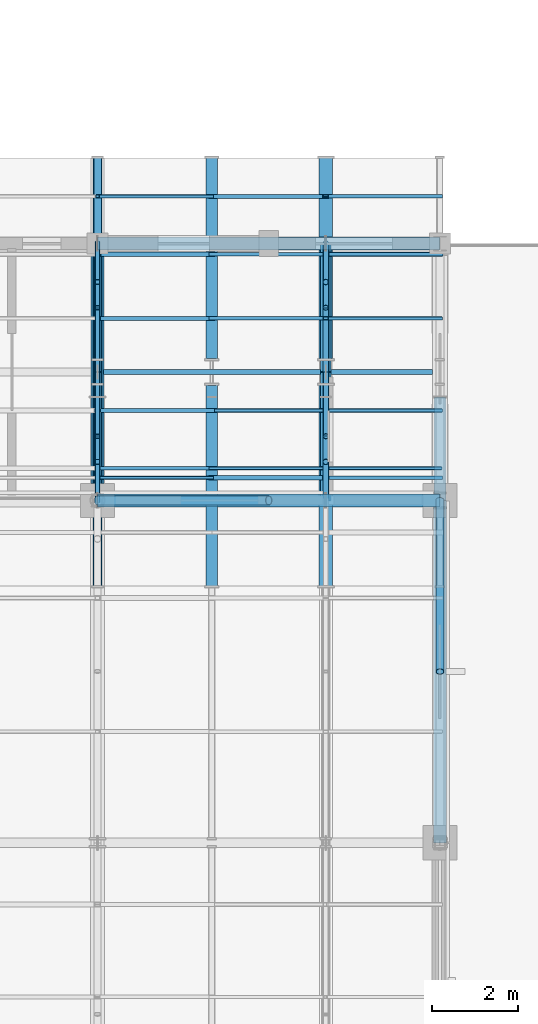
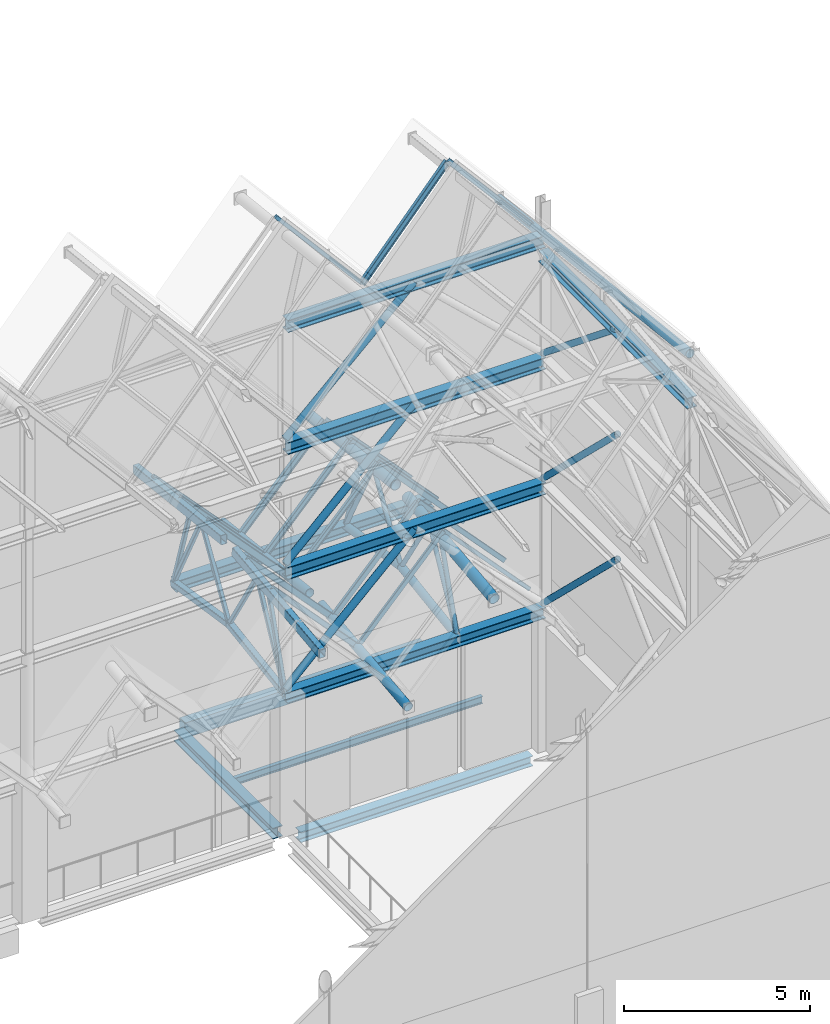
# One storey, part 16 of 48: 40 members, 17 beams.
"""IFC4 building model written with IfcOpenShell, lengths in metres."""

from ifc_helpers import new_model, si_unit, direction, frame, origin, origin_2d, place, context, subcontext, project, spatial, rectangle, hollow_rectangle, hollow_circle, i_section, extrude, material, material_profile, profile_set, type_object, element, save


model = new_model("IFC4")

# Units and contexts
model_context = context("Model", 3, precision=1e-05, world=origin(), true_north=direction((0.0, 1.0)))
body_context = subcontext(model_context, "Body", "Model", "MODEL_VIEW")
ifc_project = project(units=[si_unit("LENGTHUNIT", "METRE"), si_unit("AREAUNIT", "SQUARE_METRE"), si_unit("VOLUMEUNIT", "CUBIC_METRE"), si_unit("PLANEANGLEUNIT", "RADIAN"), si_unit("MASSUNIT", "GRAM", prefix="KILO")], contexts=[model_context])

# Site, building, storey
site_placement = place(None, origin())
site = spatial("IfcSite", under=ifc_project, at=site_placement, CompositionType="ELEMENT")
building_placement = place(site_placement, origin())
building = spatial("IfcBuilding", under=site, at=building_placement, Name="Luwemba Playhouse", CompositionType="ELEMENT")
storey_placement = place(building_placement, frame((0.0, 0.0, 13.800048828125)))
storey = spatial("IfcBuildingStorey", under=building, at=storey_placement, Name="L03", CompositionType="ELEMENT", Elevation=13.800048828125)

# Beams
ifc_material_1 = material(Name="Steel S355", Category="steel")
ifc_material_profile_1 = material_profile(ifc_material_1, hollow_rectangle(XDim=0.199951171875, YDim=0.300048828125, WallThickness=0.012451171875, InnerFilletRadius=0.018798828125, OuterFilletRadius=0.03125, at=origin_2d()))
ifc_profile_set_1 = profile_set([ifc_material_profile_1], Name="Steel S355")
beam_type_1 = type_object("IfcBeamType", Name="BM-RTG2", PredefinedType="USERDEFINED", material=ifc_profile_set_1)
for number, where, z_axis, x_axis, name in (
    (1, (36.0, 82.0, 6.904052734375), (0.0, 0.993769895443, 0.111451311842), (-1.0, 0.0, 0.0), "ROOF TRUSS ridge girder 0140"),
    (2, (36.0, 87.300048828125, 7.43115234375), (0.0, 0.993769895443, -0.111451311842), (-1.0, 0.0, 0.0), "ROOF TRUSS ridge girder 0141"),
):
    element("IfcBeam", number, at=place(storey_placement, frame(where, z_axis=z_axis, x_axis=x_axis)), inside=storey, type_object=beam_type_1, Name=name, ObjectType="ROOF TRUSS", PredefinedType="USERDEFINED", context=body_context, shape_type="SweptSolid", body=[
        extrude(hollow_rectangle(XDim=0.199951171875, YDim=0.300048828125, WallThickness=0.012451171875, InnerFilletRadius=0.018798828125, OuterFilletRadius=0.03125, at=origin_2d()), origin(), (0.0, 0.0, 1.0), 4.7294921875),
    ])
ifc_material_profile_2 = material_profile(ifc_material_1, hollow_circle(Radius=0.136474609375, WallThickness=0.012451171875, at=origin_2d()))
ifc_profile_set_2 = profile_set([ifc_material_profile_2], Name="Steel S355")
beam_type_2 = type_object("IfcBeamType", Name="BM-RTG3", PredefinedType="USERDEFINED", material=ifc_profile_set_2)
beam_1_placement = place(storey_placement, frame((44.0, 76.110107421875, 17.511474609375), z_axis=(0.0, 0.993769338701, -0.111456275987), x_axis=(-1.0, 0.0, 0.0)))
element("IfcBeam", 3, at=beam_1_placement, inside=storey, type_object=beam_type_2, Name="ROOF TRUSS valley girder 0080", ObjectType="ROOF TRUSS", PredefinedType="USERDEFINED", context=body_context, shape_type="SweptSolid", body=[
    extrude(hollow_circle(Radius=0.136474609375, WallThickness=0.012451171875, at=origin_2d()), origin(), (0.0, 0.0, 1.0), 10.354248046875),
])
for number, where, z_axis, x_axis, name in (
    (4, (38.666748046875, 82.0, 4.21435546875), (0.0, 0.993769895443, 0.111451311842), (-1.0, 0.0, 0.0), "ROOF TRUSS valley girder 0142"),
    (5, (38.666748046875, 87.300048828125, 4.741455078125), (0.0, 0.993769895443, -0.111451311842), (-1.0, 0.0, 0.0), "ROOF TRUSS valley girder 0143"),
):
    element("IfcBeam", number, at=place(storey_placement, frame(where, z_axis=z_axis, x_axis=x_axis)), inside=storey, type_object=beam_type_2, Name=name, ObjectType="ROOF TRUSS", PredefinedType="USERDEFINED", context=body_context, shape_type="SweptSolid", body=[
        extrude(hollow_circle(Radius=0.136474609375, WallThickness=0.012451171875, at=origin_2d()), origin(), (0.0, 0.0, 1.0), 4.7294921875),
    ])
ifc_material_profile_3 = material_profile(ifc_material_1, hollow_circle(Radius=0.161865234375, WallThickness=0.01611328125, at=origin_2d()))
ifc_profile_set_3 = profile_set([ifc_material_profile_3], Name="Steel S355")
beam_type_3 = type_object("IfcBeamType", Name="BM-RTG4", PredefinedType="USERDEFINED", material=ifc_profile_set_3)
for number, where, z_axis, x_axis, name in (
    (6, (41.333251953125, 82.0, 6.825439453125), (0.0, 0.993769895443, 0.111451311842), (-1.0, 0.0, 0.0), "ROOF TRUSS ridge girder 0144"),
    (7, (41.333251953125, 87.300048828125, 7.3525390625), (0.0, 0.993769895443, -0.111451311842), (-1.0, 0.0, 0.0), "ROOF TRUSS ridge girder 0145"),
):
    element("IfcBeam", number, at=place(storey_placement, frame(where, z_axis=z_axis, x_axis=x_axis)), inside=storey, type_object=beam_type_3, Name=name, ObjectType="ROOF TRUSS", PredefinedType="USERDEFINED", context=body_context, shape_type="SweptSolid", body=[
        extrude(hollow_circle(Radius=0.161865234375, WallThickness=0.01611328125, at=origin_2d()), origin(), (0.0, 0.0, 1.0), 4.7294921875),
    ])
ifc_material_profile_4 = material_profile(ifc_material_1, i_section(OverallWidth=0.300048828125, OverallDepth=0.330078125, WebThickness=0.009521484375, FlangeThickness=0.0166015625, FilletRadius=0.027099609375, at=origin_2d()))
ifc_profile_set_4 = profile_set([ifc_material_profile_4], Name="Steel S355")
beam_type_4 = type_object("IfcBeamType", Name="BM-SB04", PredefinedType="BEAM", material=ifc_profile_set_4)
beam_2_placement = place(storey_placement, frame((36.39990234375, 84.0, -0.39501953125), z_axis=(1.0, 0.0, 0.0), x_axis=(0.0, 1.0, 0.0)))
element("IfcBeam", 8, at=beam_2_placement, inside=storey, type_object=beam_type_4, Name="L03 grid girder 0839", PredefinedType="BEAM", context=body_context, shape_type="SweptSolid", body=[
    extrude(i_section(OverallWidth=0.300048828125, OverallDepth=0.330078125, WebThickness=0.009521484375, FlangeThickness=0.0166015625, FilletRadius=0.027099609375, at=origin_2d()), origin(), (0.0, 0.0, 1.0), 7.2001953125),
])
ifc_material_profile_5 = material_profile(ifc_material_1, i_section(OverallWidth=0.300048828125, OverallDepth=0.360107421875, WebThickness=0.012451171875, FlangeThickness=0.0224609375, FilletRadius=0.027099609375, at=origin_2d()))
ifc_profile_set_5 = profile_set([ifc_material_profile_5], Name="Steel S355")
beam_type_5 = type_object("IfcBeamType", Name="BM-SB09", PredefinedType="BEAM", material=ifc_profile_set_5)
beam_3_placement = place(storey_placement, frame((36.0, 84.39990234375, -0.41015625), z_axis=(0.0, 1.0, 0.0), x_axis=(-1.0, 0.0, 0.0)))
element("IfcBeam", 9, at=beam_3_placement, inside=storey, type_object=beam_type_5, Name="L03 transverse girder 0854", PredefinedType="BEAM", context=body_context, shape_type="SweptSolid", body=[
    extrude(i_section(OverallWidth=0.300048828125, OverallDepth=0.360107421875, WebThickness=0.012451171875, FlangeThickness=0.0224609375, FilletRadius=0.027099609375, at=origin_2d()), origin(), (0.0, 0.0, 1.0), 5.3251953125),
])
for number, where, z_axis, x_axis, name in (
    (10, (44.0, 76.0, 15.97998046875), (0.0, 1.0, 0.0), (-1.0, 0.0, 0.0), "Fly tower side ring beam 036"),
    (11, (36.0, 84.0, 4.320068359375), (1.0, 0.0, 0.0), (0.0, 1.0, 0.0), "RF-V2-NORTH eave ring beam 0113"),
    (12, (36.0, 90.0, 4.320068359375), (1.0, 0.0, 0.0), (0.0, 1.0, 0.0), "RF-V2-NORTH eave ring beam 0117"),
):
    element("IfcBeam", number, at=place(storey_placement, frame(where, z_axis=z_axis, x_axis=x_axis)), inside=storey, type_object=beam_type_5, Name=name, PredefinedType="BEAM", context=body_context, shape_type="SweptSolid", body=[
        extrude(i_section(OverallWidth=0.300048828125, OverallDepth=0.360107421875, WebThickness=0.012451171875, FlangeThickness=0.0224609375, FilletRadius=0.027099609375, at=origin_2d()), origin(), (0.0, 0.0, 1.0), 8.0),
    ])
ifc_material_profile_6 = material_profile(ifc_material_1, i_section(OverallWidth=0.300048828125, OverallDepth=0.39990234375, WebThickness=0.013427734375, FlangeThickness=0.02392578125, FilletRadius=0.027099609375, at=origin_2d()))
ifc_profile_set_6 = profile_set([ifc_material_profile_6], Name="Steel S355")
beam_type_6 = type_object("IfcBeamType", Name="BM-SB10", PredefinedType="BEAM", material=ifc_profile_set_6)
for number, where, z_axis, x_axis, name in (
    (13, (36.0, 84.0, 8.39990234375), (1.0, 0.0, 0.0), (0.0, 1.0, 0.0), "Fly tower ring beam 008"),
    (14, (36.0, 84.0, 12.5), (1.0, 0.0, 0.0), (0.0, 1.0, 0.0), "Fly tower ring beam 020"),
    (15, (36.0, 84.0, 16.5), (1.0, 0.0, 0.0), (0.0, 1.0, 0.0), "Fly tower ring beam 032"),
):
    element("IfcBeam", number, at=place(storey_placement, frame(where, z_axis=z_axis, x_axis=x_axis)), inside=storey, type_object=beam_type_6, Name=name, PredefinedType="BEAM", context=body_context, shape_type="SweptSolid", body=[
        extrude(i_section(OverallWidth=0.300048828125, OverallDepth=0.39990234375, WebThickness=0.013427734375, FlangeThickness=0.02392578125, FilletRadius=0.027099609375, at=origin_2d()), origin(), (0.0, 0.0, 1.0), 8.0),
    ])
ifc_material_profile_7 = material_profile(ifc_material_1, i_section(OverallWidth=0.1201171875, OverallDepth=0.239990234375, WebThickness=0.006103515625, FlangeThickness=0.009765625, FilletRadius=0.014892578125, at=origin_2d()))
ifc_profile_set_7 = profile_set([ifc_material_profile_7], Name="Steel S355")
beam_type_7 = type_object("IfcBeamType", Name="BM-SJ03", PredefinedType="JOIST", material=ifc_profile_set_7)
beam_4_placement = place(storey_placement, frame((36.14599609375, 87.0, -0.35009765625), z_axis=(1.0, 0.0, 0.0), x_axis=(0.0, 1.0, 0.0)))
element("IfcBeam", 16, at=beam_4_placement, inside=storey, type_object=beam_type_7, Name="L03 composite floor joist 0488", PredefinedType="JOIST", context=body_context, shape_type="SweptSolid", body=[
    extrude(i_section(OverallWidth=0.1201171875, OverallDepth=0.239990234375, WebThickness=0.006103515625, FlangeThickness=0.009765625, FilletRadius=0.014892578125, at=origin_2d()), origin(), (0.0, 0.0, 1.0), 7.68310546875),
])
ifc_material_2 = material(Name="Concrete C40/50", Category="concrete")
ifc_material_profile_8 = material_profile(ifc_material_2, rectangle(XDim=0.300048828125, YDim=0.5, at=origin_2d()))
ifc_profile_set_8 = profile_set([ifc_material_profile_8], Name="Concrete C40/50")
beam_type_8 = type_object("IfcBeamType", Name="BM-SP1", PredefinedType="SPANDREL", material=ifc_profile_set_8)
beam_5_placement = place(storey_placement, frame((36.27490234375, 90.0, -0.47998046875), z_axis=(1.0, 0.0, 0.0), x_axis=(0.0, 1.0, 0.0)))
element("IfcBeam", 17, at=beam_5_placement, inside=storey, type_object=beam_type_8, Name="L03 grid girder 0844", PredefinedType="SPANDREL", context=body_context, shape_type="SweptSolid", body=[
    extrude(rectangle(XDim=0.300048828125, YDim=0.5, at=origin_2d()), origin(), (0.0, 0.0, 1.0), 7.4501953125),
])

# Members
ifc_material_profile_9 = material_profile(ifc_material_1, hollow_circle(Radius=0.06982421875, WallThickness=0.008056640625, at=origin_2d()))
ifc_profile_set_9 = profile_set([ifc_material_profile_9], Name="Steel S355")
member_type_1 = type_object("IfcMemberType", Name="MEM-MB01", PredefinedType="BRACE", material=ifc_profile_set_9)
member_1_placement = place(storey_placement, frame((41.333251953125, 84.0, 4.39990234375), z_axis=(0.0, 0.469857731864, 0.88274215477), x_axis=(-1.0, 0.0, 0.0)))
element("IfcMember", 18, at=member_1_placement, inside=storey, type_object=member_type_1, Name="ROOF TRUSS web diagonal 0135", PredefinedType="BRACE", context=body_context, shape_type="SweptSolid", body=[
    extrude(hollow_circle(Radius=0.06982421875, WallThickness=0.008056640625, at=origin_2d()), origin(), (0.0, 0.0, 1.0), 3.1923828125),
])
for number, where, z_axis, x_axis, name in (
    (19, (41.333251953125, 87.0, 4.8564453125), (0.0, -0.536158182569, 0.844117529296), (1.0, 0.0, 0.0), "ROOF TRUSS web diagonal 0136"),
    (20, (41.333251953125, 87.0, 4.8564453125), (0.0, 0.536158182569, 0.844117529296), (-1.0, 0.0, 0.0), "ROOF TRUSS web diagonal 0137"),
):
    element("IfcMember", number, at=place(storey_placement, frame(where, z_axis=z_axis, x_axis=x_axis)), inside=storey, type_object=member_type_1, Name=name, PredefinedType="BRACE", context=body_context, shape_type="SweptSolid", body=[
        extrude(hollow_circle(Radius=0.06982421875, WallThickness=0.008056640625, at=origin_2d()), origin(), (0.0, 0.0, 1.0), 2.797607421875),
    ])
member_2_placement = place(storey_placement, frame((41.333251953125, 90.0, 4.39990234375), z_axis=(0.0, -0.469857731864, 0.88274215477), x_axis=(1.0, 0.0, 0.0)))
element("IfcMember", 21, at=member_2_placement, inside=storey, type_object=member_type_1, Name="ROOF TRUSS web diagonal 0138", PredefinedType="BRACE", context=body_context, shape_type="SweptSolid", body=[
    extrude(hollow_circle(Radius=0.06982421875, WallThickness=0.008056640625, at=origin_2d()), origin(), (0.0, 0.0, 1.0), 3.1923828125),
])
for number, where, z_axis, x_axis, name in (
    (22, (41.333251953125, 84.0, 4.39990234375), (0.0, 0.310933771761, 0.950431580693), (-1.0, 0.0, 0.0), "ROOF TRUSS eave knee strut 0028"),
    (23, (41.333251953125, 90.0, 4.39990234375), (0.0, -0.310933771761, 0.950431580693), (1.0, 0.0, 0.0), "ROOF TRUSS eave knee strut 0029"),
):
    element("IfcMember", number, at=place(storey_placement, frame(where, z_axis=z_axis, x_axis=x_axis)), inside=storey, type_object=member_type_1, Name=name, PredefinedType="BRACE", context=body_context, shape_type="SweptSolid", body=[
        extrude(hollow_circle(Radius=0.06982421875, WallThickness=0.008056640625, at=origin_2d()), origin(), (0.0, 0.0, 1.0), 2.894287109375),
    ])
ifc_material_profile_10 = material_profile(ifc_material_1, hollow_circle(Radius=0.096923828125, WallThickness=0.010009765625, at=origin_2d()))
ifc_profile_set_10 = profile_set([ifc_material_profile_10], Name="Steel S355")
member_type_2 = type_object("IfcMemberType", Name="MEM-MB03", PredefinedType="BRACE", material=ifc_profile_set_10)
for number, where, z_axis, x_axis, name in (
    (24, (44.0, 84.0, 4.550048828125), (0.0, -0.718700426469, 0.695319852293), (1.0, 0.0, 0.0), "Fly tower side brace 016"),
    (25, (44.0, 84.0, 8.64990234375), (0.0, -0.718678505774, 0.695342509371), (1.0, 0.0, 0.0), "Fly tower side brace 032"),
):
    element("IfcMember", number, at=place(storey_placement, frame(where, z_axis=z_axis, x_axis=x_axis)), inside=storey, type_object=member_type_2, Name=name, PredefinedType="BRACE", context=body_context, shape_type="SweptSolid", body=[
        extrude(hollow_circle(Radius=0.096923828125, WallThickness=0.010009765625, at=origin_2d()), origin(), (0.0, 0.0, 1.0), 5.565673828125),
    ])
member_3_placement = place(storey_placement, frame((44.0, 84.0, 12.75), z_axis=(0.0, -0.778016166517, 0.628244255555), x_axis=(1.0, 0.0, 0.0)))
element("IfcMember", 26, at=member_3_placement, inside=storey, type_object=member_type_2, Name="Fly tower side brace 048", PredefinedType="BRACE", context=body_context, shape_type="SweptSolid", body=[
    extrude(hollow_circle(Radius=0.096923828125, WallThickness=0.010009765625, at=origin_2d()), origin(), (0.0, 0.0, 1.0), 5.141357421875),
])
ifc_material_profile_11 = material_profile(ifc_material_1, hollow_circle(Radius=0.109619140625, WallThickness=0.012451171875, at=origin_2d()))
ifc_profile_set_11 = profile_set([ifc_material_profile_11], Name="Steel S355")
member_type_3 = type_object("IfcMemberType", Name="MEM-MB04", PredefinedType="BRACE", material=ifc_profile_set_11)
for number, where, z_axis, x_axis, name in (
    (27, (36.0, 84.0, 4.550048828125), (0.720500036349, 0.0, 0.693454899486), (0.0, 1.0, 0.0), "Fly tower lateral brace 007"),
    (28, (36.0, 84.0, 8.64990234375), (0.720478064824, 0.0, 0.693477727189), (0.0, 1.0, 0.0), "Fly tower lateral brace 023"),
):
    element("IfcMember", number, at=place(storey_placement, frame(where, z_axis=z_axis, x_axis=x_axis)), inside=storey, type_object=member_type_3, Name=name, PredefinedType="BRACE", context=body_context, shape_type="SweptSolid", body=[
        extrude(hollow_circle(Radius=0.109619140625, WallThickness=0.012451171875, at=origin_2d()), origin(), (0.0, 0.0, 1.0), 5.5517578125),
    ])
member_4_placement = place(storey_placement, frame((36.0, 84.0, 12.75), z_axis=(0.72953720414, 0.0, 0.683941128881), x_axis=(0.0, 1.0, 0.0)))
element("IfcMember", 29, at=member_4_placement, inside=storey, type_object=member_type_3, Name="Fly tower lateral brace 039", PredefinedType="BRACE", context=body_context, shape_type="SweptSolid", body=[
    extrude(hollow_circle(Radius=0.109619140625, WallThickness=0.012451171875, at=origin_2d()), origin(), (0.0, 0.0, 1.0), 5.48291015625),
])
ifc_material_profile_12 = material_profile(ifc_material_1, hollow_rectangle(XDim=0.1201171875, YDim=0.1201171875, WallThickness=0.008056640625, InnerFilletRadius=0.011962890625, OuterFilletRadius=0.02001953125, at=origin_2d()))
ifc_profile_set_12 = profile_set([ifc_material_profile_12], Name="Steel S355")
member_type_4 = type_object("IfcMemberType", Name="MEM-MB06", PredefinedType="BRACE", material=ifc_profile_set_12)
member_5_placement = place(storey_placement, frame((36.0, 84.0, 4.39990234375), z_axis=(0.0, 0.45983211658, 0.888005869666), x_axis=(-1.0, 0.0, 0.0)))
element("IfcMember", 30, at=member_5_placement, inside=storey, type_object=member_type_4, Name="ROOF TRUSS web diagonal 0129", PredefinedType="BRACE", context=body_context, shape_type="SweptSolid", body=[
    extrude(hollow_rectangle(XDim=0.1201171875, YDim=0.1201171875, WallThickness=0.008056640625, InnerFilletRadius=0.011962890625, OuterFilletRadius=0.02001953125, at=origin_2d()), origin(), (0.0, 0.0, 1.0), 3.261962890625),
])
for number, where, z_axis, x_axis, name in (
    (31, (36.0, 87.0, 4.8564453125), (0.0, -0.523678873485, 0.851915745521), (1.0, 0.0, 0.0), "ROOF TRUSS web diagonal 0130"),
    (32, (36.0, 87.0, 4.8564453125), (0.0, 0.523678873485, 0.851915745521), (-1.0, 0.0, 0.0), "ROOF TRUSS web diagonal 0131"),
):
    element("IfcMember", number, at=place(storey_placement, frame(where, z_axis=z_axis, x_axis=x_axis)), inside=storey, type_object=member_type_4, Name=name, PredefinedType="BRACE", context=body_context, shape_type="SweptSolid", body=[
        extrude(hollow_rectangle(XDim=0.1201171875, YDim=0.1201171875, WallThickness=0.008056640625, InnerFilletRadius=0.011962890625, OuterFilletRadius=0.02001953125, at=origin_2d()), origin(), (0.0, 0.0, 1.0), 2.8642578125),
    ])
member_6_placement = place(storey_placement, frame((36.0, 90.0, 4.39990234375), z_axis=(0.0, -0.45983211658, 0.888005869666), x_axis=(1.0, 0.0, 0.0)))
element("IfcMember", 33, at=member_6_placement, inside=storey, type_object=member_type_4, Name="ROOF TRUSS web diagonal 0132", PredefinedType="BRACE", context=body_context, shape_type="SweptSolid", body=[
    extrude(hollow_rectangle(XDim=0.1201171875, YDim=0.1201171875, WallThickness=0.008056640625, InnerFilletRadius=0.011962890625, OuterFilletRadius=0.02001953125, at=origin_2d()), origin(), (0.0, 0.0, 1.0), 3.261962890625),
])
for number, where, z_axis, x_axis, name in (
    (34, (36.0, 84.0, 4.39990234375), (0.0, 0.303098438521, 0.952959252312), (-1.0, 0.0, 0.0), "ROOF TRUSS eave knee strut 0026"),
    (35, (36.0, 90.0, 4.39990234375), (0.0, -0.303098438521, 0.952959252312), (1.0, 0.0, 0.0), "ROOF TRUSS eave knee strut 0027"),
):
    element("IfcMember", number, at=place(storey_placement, frame(where, z_axis=z_axis, x_axis=x_axis)), inside=storey, type_object=member_type_4, Name=name, PredefinedType="BRACE", context=body_context, shape_type="SweptSolid", body=[
        extrude(hollow_rectangle(XDim=0.1201171875, YDim=0.1201171875, WallThickness=0.008056640625, InnerFilletRadius=0.011962890625, OuterFilletRadius=0.02001953125, at=origin_2d()), origin(), (0.0, 0.0, 1.0), 2.968994140625),
    ])
ifc_material_profile_13 = material_profile(ifc_material_1, hollow_circle(Radius=0.122314453125, WallThickness=0.012451171875, at=origin_2d()))
ifc_profile_set_13 = profile_set([ifc_material_profile_13], Name="Steel S355")
member_type_5 = type_object("IfcMemberType", Name="MEM-MC01", PredefinedType="CHORD", material=ifc_profile_set_13)
for number, where, z_axis, x_axis, name in (
    (36, (41.333251953125, 84.0, 4.39990234375), (0.0, 0.988617796803, 0.150448834637), (-1.0, 0.0, 0.0), "ROOF TRUSS south bottom chord 0133"),
    (37, (41.333251953125, 87.0, 4.8564453125), (0.0, 0.988617796803, -0.150448834637), (-1.0, 0.0, 0.0), "ROOF TRUSS north bottom chord 0134"),
):
    element("IfcMember", number, at=place(storey_placement, frame(where, z_axis=z_axis, x_axis=x_axis)), inside=storey, type_object=member_type_5, Name=name, PredefinedType="CHORD", context=body_context, shape_type="SweptSolid", body=[
        extrude(hollow_circle(Radius=0.122314453125, WallThickness=0.012451171875, at=origin_2d()), origin(), (0.0, 0.0, 1.0), 3.034423828125),
    ])
ifc_material_profile_14 = material_profile(ifc_material_1, hollow_rectangle(XDim=0.199951171875, YDim=0.199951171875, WallThickness=0.012451171875, InnerFilletRadius=0.018798828125, OuterFilletRadius=0.03125, at=origin_2d()))
ifc_profile_set_14 = profile_set([ifc_material_profile_14], Name="Steel S355")
member_type_6 = type_object("IfcMemberType", Name="MEM-MC04", PredefinedType="CHORD", material=ifc_profile_set_14)
for number, where, z_axis, x_axis, name in (
    (38, (36.0, 84.0, 4.39990234375), (0.0, 0.988617796803, 0.150448834637), (-1.0, 0.0, 0.0), "ROOF TRUSS south bottom chord 0127"),
    (39, (36.0, 87.0, 4.8564453125), (0.0, 0.988617796803, -0.150448834637), (-1.0, 0.0, 0.0), "ROOF TRUSS north bottom chord 0128"),
):
    element("IfcMember", number, at=place(storey_placement, frame(where, z_axis=z_axis, x_axis=x_axis)), inside=storey, type_object=member_type_6, Name=name, PredefinedType="CHORD", context=body_context, shape_type="SweptSolid", body=[
        extrude(hollow_rectangle(XDim=0.199951171875, YDim=0.199951171875, WallThickness=0.012451171875, InnerFilletRadius=0.018798828125, OuterFilletRadius=0.03125, at=origin_2d()), origin(), (0.0, 0.0, 1.0), 3.034423828125),
    ])
ifc_material_profile_15 = material_profile(ifc_material_1, hollow_rectangle(XDim=0.080078125, YDim=0.1201171875, WallThickness=0.00634765625, InnerFilletRadius=0.009521484375, OuterFilletRadius=0.015869140625, at=origin_2d()))
ifc_profile_set_15 = profile_set([ifc_material_profile_15], Name="Steel S355")
member_type_7 = type_object("IfcMemberType", Name="MEM-MP01", PredefinedType="PURLIN", material=ifc_profile_set_15)
member_7_placement = place(storey_placement, frame((36.0, 84.528076171875, 19.704833984375), z_axis=(0.651837536714, 0.0, -0.758358639253), x_axis=(0.0, 1.0, 0.0)))
element("IfcMember", 40, at=member_7_placement, inside=storey, type_object=member_type_7, Name="Pleated roof purlin 0144", PredefinedType="PURLIN", context=body_context, shape_type="SweptSolid", body=[
    extrude(hollow_rectangle(XDim=0.080078125, YDim=0.1201171875, WallThickness=0.00634765625, InnerFilletRadius=0.009521484375, OuterFilletRadius=0.015869140625, at=origin_2d()), origin(), (0.0, 0.0, 1.0), 4.091064453125),
])
for number, where, z_axis, x_axis, name in (
    (41, (36.0, 91.10009765625, 7.21728515625), (0.681515329976, 0.0, -0.731803836426), (0.0, 1.0, 0.0), "Pleated roof purlin 0264"),
    (42, (41.333251953125, 84.75, 7.4248046875), (0.681515329976, 0.0, -0.731803836426), (0.0, 1.0, 0.0), "Pleated roof purlin 0272"),
):
    element("IfcMember", number, at=place(storey_placement, frame(where, z_axis=z_axis, x_axis=x_axis)), inside=storey, type_object=member_type_7, Name=name, PredefinedType="PURLIN", context=body_context, shape_type="SweptSolid", body=[
        extrude(hollow_rectangle(XDim=0.080078125, YDim=0.1201171875, WallThickness=0.00634765625, InnerFilletRadius=0.009521484375, OuterFilletRadius=0.015869140625, at=origin_2d()), origin(), (0.0, 0.0, 1.0), 3.9130859375),
    ])
ifc_material_profile_16 = material_profile(ifc_material_1, hollow_rectangle(XDim=0.10009765625, YDim=0.14990234375, WallThickness=0.008056640625, InnerFilletRadius=0.011962890625, OuterFilletRadius=0.02001953125, at=origin_2d()))
ifc_profile_set_16 = profile_set([ifc_material_profile_16], Name="Steel S355")
member_type_8 = type_object("IfcMemberType", Name="MEM-MP02", PredefinedType="PURLIN", material=ifc_profile_set_16)
member_8_placement = place(storey_placement, frame((41.333251953125, 86.10009765625, 7.550537109375), z_axis=(0.681515329976, 0.0, -0.731803836426), x_axis=(0.0, 1.0, 0.0)))
element("IfcMember", 43, at=member_8_placement, inside=storey, type_object=member_type_8, Name="Pleated roof purlin 0273", PredefinedType="PURLIN", context=body_context, shape_type="SweptSolid", body=[
    extrude(hollow_rectangle(XDim=0.10009765625, YDim=0.14990234375, WallThickness=0.008056640625, InnerFilletRadius=0.011962890625, OuterFilletRadius=0.02001953125, at=origin_2d()), origin(), (0.0, 0.0, 1.0), 3.9130859375),
])
ifc_material_profile_17 = material_profile(ifc_material_1, hollow_rectangle(XDim=0.080078125, YDim=0.159912109375, WallThickness=0.00634765625, InnerFilletRadius=0.009521484375, OuterFilletRadius=0.015869140625, at=origin_2d()))
ifc_profile_set_17 = profile_set([ifc_material_profile_17], Name="Steel S355")
member_type_9 = type_object("IfcMemberType", Name="MEM-MP03", PredefinedType="PURLIN", material=ifc_profile_set_17)
member_9_placement = place(storey_placement, frame((38.666748046875, 84.75, 4.541259765625), z_axis=(0.681513033636, 0.0, 0.731805974958), x_axis=(0.0, 1.0, 0.0)))
element("IfcMember", 44, at=member_9_placement, inside=storey, type_object=member_type_9, Name="Pleated roof purlin 0266", PredefinedType="PURLIN", context=body_context, shape_type="SweptSolid", body=[
    extrude(hollow_rectangle(XDim=0.080078125, YDim=0.159912109375, WallThickness=0.00634765625, InnerFilletRadius=0.009521484375, OuterFilletRadius=0.015869140625, at=origin_2d()), origin(), (0.0, 0.0, 1.0), 3.91259765625),
])
member_10_placement = place(storey_placement, frame((41.333251953125, 88.25, 7.516845703125), z_axis=(0.681515329976, 0.0, -0.731803836426), x_axis=(0.0, 1.0, 0.0)))
element("IfcMember", 45, at=member_10_placement, inside=storey, type_object=member_type_9, Name="Pleated roof purlin 0274", PredefinedType="PURLIN", context=body_context, shape_type="SweptSolid", body=[
    extrude(hollow_rectangle(XDim=0.080078125, YDim=0.159912109375, WallThickness=0.00634765625, InnerFilletRadius=0.009521484375, OuterFilletRadius=0.015869140625, at=origin_2d()), origin(), (0.0, 0.0, 1.0), 3.9130859375),
])
ifc_material_profile_18 = material_profile(ifc_material_1, hollow_rectangle(XDim=0.10009765625, YDim=0.179931640625, WallThickness=0.008056640625, InnerFilletRadius=0.011962890625, OuterFilletRadius=0.02001953125, at=origin_2d()))
ifc_profile_set_18 = profile_set([ifc_material_profile_18], Name="Steel S355")
member_type_10 = type_object("IfcMemberType", Name="MEM-MP04", PredefinedType="PURLIN", material=ifc_profile_set_18)
member_11_placement = place(storey_placement, frame((38.666748046875, 86.10009765625, 4.671875), z_axis=(0.68148191426, 0.0, 0.731834954437), x_axis=(0.0, 1.0, 0.0)))
element("IfcMember", 46, at=member_11_placement, inside=storey, type_object=member_type_10, Name="Pleated roof purlin 0267", PredefinedType="PURLIN", context=body_context, shape_type="SweptSolid", body=[
    extrude(hollow_rectangle(XDim=0.10009765625, YDim=0.179931640625, WallThickness=0.008056640625, InnerFilletRadius=0.011962890625, OuterFilletRadius=0.02001953125, at=origin_2d()), origin(), (0.0, 0.0, 1.0), 3.912841796875),
])
member_12_placement = place(storey_placement, frame((41.333251953125, 89.75, 7.327880859375), z_axis=(0.681515329976, 0.0, -0.731803836426), x_axis=(0.0, 1.0, 0.0)))
element("IfcMember", 47, at=member_12_placement, inside=storey, type_object=member_type_10, Name="Pleated roof purlin 0275", PredefinedType="PURLIN", context=body_context, shape_type="SweptSolid", body=[
    extrude(hollow_rectangle(XDim=0.10009765625, YDim=0.179931640625, WallThickness=0.008056640625, InnerFilletRadius=0.011962890625, OuterFilletRadius=0.02001953125, at=origin_2d()), origin(), (0.0, 0.0, 1.0), 3.9130859375),
])
ifc_material_profile_19 = material_profile(ifc_material_1, i_section(OverallWidth=0.08203125, OverallDepth=0.159912109375, WebThickness=0.0048828125, FlangeThickness=0.00732421875, FilletRadius=0.009033203125, at=origin_2d()))
ifc_profile_set_19 = profile_set([ifc_material_profile_19], Name="Steel S355")
member_type_11 = type_object("IfcMemberType", Name="MEM-MP05", PredefinedType="PURLIN", material=ifc_profile_set_19)
member_13_placement = place(storey_placement, frame((41.333251953125, 84.528076171875, 19.683837890625), z_axis=(0.651808038275, 0.0, -0.758383993265), x_axis=(0.0, 1.0, 0.0)))
element("IfcMember", 48, at=member_13_placement, inside=storey, type_object=member_type_11, Name="Pleated roof purlin 0156", PredefinedType="PURLIN", context=body_context, shape_type="SweptSolid", body=[
    extrude(i_section(OverallWidth=0.08203125, OverallDepth=0.159912109375, WebThickness=0.0048828125, FlangeThickness=0.00732421875, FilletRadius=0.009033203125, at=origin_2d()), origin(), (0.0, 0.0, 1.0), 4.09130859375),
])
member_14_placement = place(storey_placement, frame((36.0, 84.75, 7.403564453125), z_axis=(0.681515329976, 0.0, -0.731803836426), x_axis=(0.0, 1.0, 0.0)))
element("IfcMember", 49, at=member_14_placement, inside=storey, type_object=member_type_11, Name="Pleated roof purlin 0260", PredefinedType="PURLIN", context=body_context, shape_type="SweptSolid", body=[
    extrude(i_section(OverallWidth=0.08203125, OverallDepth=0.159912109375, WebThickness=0.0048828125, FlangeThickness=0.00732421875, FilletRadius=0.009033203125, at=origin_2d()), origin(), (0.0, 0.0, 1.0), 3.9130859375),
])
for number, where, z_axis, x_axis, name in (
    (50, (38.666748046875, 88.25, 4.65234375), (0.68148191426, 0.0, 0.731834954437), (0.0, 1.0, 0.0), "Pleated roof purlin 0268"),
    (51, (41.333251953125, 91.10009765625, 7.196044921875), (0.681546448231, 0.0, -0.731774855337), (0.0, 1.0, 0.0), "Pleated roof purlin 0276"),
):
    element("IfcMember", number, at=place(storey_placement, frame(where, z_axis=z_axis, x_axis=x_axis)), inside=storey, type_object=member_type_11, Name=name, PredefinedType="PURLIN", context=body_context, shape_type="SweptSolid", body=[
        extrude(i_section(OverallWidth=0.08203125, OverallDepth=0.159912109375, WebThickness=0.0048828125, FlangeThickness=0.00732421875, FilletRadius=0.009033203125, at=origin_2d()), origin(), (0.0, 0.0, 1.0), 3.912841796875),
    ])
ifc_material_profile_20 = material_profile(ifc_material_1, i_section(OverallWidth=0.091064453125, OverallDepth=0.179931640625, WebThickness=0.00537109375, FlangeThickness=0.008056640625, FilletRadius=0.009033203125, at=origin_2d()))
ifc_profile_set_20 = profile_set([ifc_material_profile_20], Name="Steel S355")
member_type_12 = type_object("IfcMemberType", Name="MEM-MP06", PredefinedType="PURLIN", material=ifc_profile_set_20)
member_15_placement = place(storey_placement, frame((36.0, 86.10009765625, 7.540283203125), z_axis=(0.681515329976, 0.0, -0.731803836426), x_axis=(0.0, 1.0, 0.0)))
element("IfcMember", 52, at=member_15_placement, inside=storey, type_object=member_type_12, Name="Pleated roof purlin 0261", PredefinedType="PURLIN", context=body_context, shape_type="SweptSolid", body=[
    extrude(i_section(OverallWidth=0.091064453125, OverallDepth=0.179931640625, WebThickness=0.00537109375, FlangeThickness=0.008056640625, FilletRadius=0.009033203125, at=origin_2d()), origin(), (0.0, 0.0, 1.0), 3.9130859375),
])
member_16_placement = place(storey_placement, frame((38.666748046875, 89.75, 4.46923828125), z_axis=(0.68148191426, 0.0, 0.731834954437), x_axis=(0.0, 1.0, 0.0)))
element("IfcMember", 53, at=member_16_placement, inside=storey, type_object=member_type_12, Name="Pleated roof purlin 0269", PredefinedType="PURLIN", context=body_context, shape_type="SweptSolid", body=[
    extrude(i_section(OverallWidth=0.091064453125, OverallDepth=0.179931640625, WebThickness=0.00537109375, FlangeThickness=0.008056640625, FilletRadius=0.009033203125, at=origin_2d()), origin(), (0.0, 0.0, 1.0), 3.912841796875),
])
ifc_material_profile_21 = material_profile(ifc_material_1, i_section(OverallWidth=0.10009765625, OverallDepth=0.199951171875, WebThickness=0.005615234375, FlangeThickness=0.008544921875, FilletRadius=0.011962890625, at=origin_2d()))
ifc_profile_set_21 = profile_set([ifc_material_profile_21], Name="Steel S355")
member_type_13 = type_object("IfcMemberType", Name="MEM-MP07", PredefinedType="PURLIN", material=ifc_profile_set_21)
member_17_placement = place(storey_placement, frame((38.666748046875, 84.528076171875, 16.55078125), z_axis=(0.651803214757, 0.0, 0.758388138906), x_axis=(0.0, 1.0, 0.0)))
element("IfcMember", 54, at=member_17_placement, inside=storey, type_object=member_type_13, Name="Pleated roof purlin 0150", PredefinedType="PURLIN", context=body_context, shape_type="SweptSolid", body=[
    extrude(i_section(OverallWidth=0.10009765625, OverallDepth=0.199951171875, WebThickness=0.005615234375, FlangeThickness=0.008544921875, FilletRadius=0.011962890625, at=origin_2d()), origin(), (0.0, 0.0, 1.0), 4.091064453125),
])
member_18_placement = place(storey_placement, frame((36.0, 88.25, 7.486083984375), z_axis=(0.681515329976, 0.0, -0.731803836426), x_axis=(0.0, 1.0, 0.0)))
element("IfcMember", 55, at=member_18_placement, inside=storey, type_object=member_type_13, Name="Pleated roof purlin 0262", PredefinedType="PURLIN", context=body_context, shape_type="SweptSolid", body=[
    extrude(i_section(OverallWidth=0.10009765625, OverallDepth=0.199951171875, WebThickness=0.005615234375, FlangeThickness=0.008544921875, FilletRadius=0.011962890625, at=origin_2d()), origin(), (0.0, 0.0, 1.0), 3.9130859375),
])
member_19_placement = place(storey_placement, frame((38.666748046875, 91.10009765625, 4.302978515625), z_axis=(0.68148191426, 0.0, 0.731834954437), x_axis=(0.0, 1.0, 0.0)))
element("IfcMember", 56, at=member_19_placement, inside=storey, type_object=member_type_13, Name="Pleated roof purlin 0270", PredefinedType="PURLIN", context=body_context, shape_type="SweptSolid", body=[
    extrude(i_section(OverallWidth=0.10009765625, OverallDepth=0.199951171875, WebThickness=0.005615234375, FlangeThickness=0.008544921875, FilletRadius=0.011962890625, at=origin_2d()), origin(), (0.0, 0.0, 1.0), 3.912841796875),
])
ifc_material_profile_22 = material_profile(ifc_material_1, i_section(OverallWidth=0.110107421875, OverallDepth=0.219970703125, WebThickness=0.005859375, FlangeThickness=0.00927734375, FilletRadius=0.011962890625, at=origin_2d()))
ifc_profile_set_22 = profile_set([ifc_material_profile_22], Name="Steel S355")
member_type_14 = type_object("IfcMemberType", Name="MEM-MP08", PredefinedType="PURLIN", material=ifc_profile_set_22)
member_20_placement = place(storey_placement, frame((36.0, 89.75, 7.302490234375), z_axis=(0.681515329976, 0.0, -0.731803836426), x_axis=(0.0, 1.0, 0.0)))
element("IfcMember", 57, at=member_20_placement, inside=storey, type_object=member_type_14, Name="Pleated roof purlin 0263", PredefinedType="PURLIN", context=body_context, shape_type="SweptSolid", body=[
    extrude(i_section(OverallWidth=0.110107421875, OverallDepth=0.219970703125, WebThickness=0.005859375, FlangeThickness=0.00927734375, FilletRadius=0.011962890625, at=origin_2d()), origin(), (0.0, 0.0, 1.0), 3.9130859375),
])

save(model, "model.ifc")
